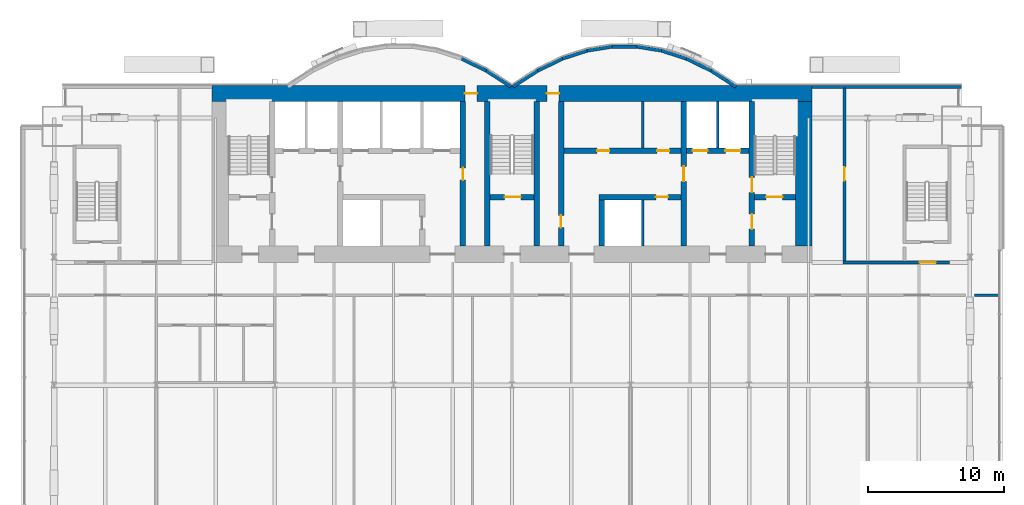
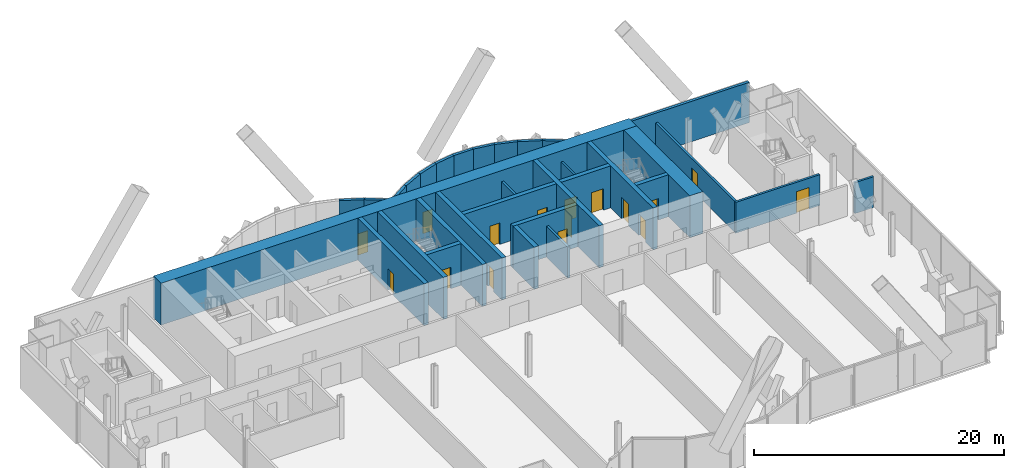
# One storey, part 18 of 22: 31 walls, 16 doors, 16 openings.
"""IFC4 building model written with IfcOpenShell, lengths in metres."""

import ifcopenshell
import ifcopenshell.guid

model = None  # the IFC model being written
_history = None  # IfcOwnerHistory: only IFC2X3 demands one
_inside = {}  # id of a spatial element -> (the spatial element, [elements in it])
_under = {}  # id of a project, library or spatial element -> (it, [spatial elements below it])
_declared = {}  # id of a project -> (the project, [libraries it declares])
_typed = {}  # id of a type object -> (the type object, [elements of that type])
_made_of = {}  # id of a material, layer set ... -> (it, [elements and type objects made of it])


def new_model(schema):
    """Start an empty IFC model of exactly this schema.

    Asked for "IFC4X3", IfcOpenShell would pick the latest addendum, in which some entities
    have other attributes; the version numbers below select the first issue.
    IFC2X3 requires an IfcOwnerHistory on every rooted entity: one is made here for all.
    """
    global model, _history
    if schema == "IFC4X3":
        model = ifcopenshell.file(schema_version=(4, 3, 0, 0))
    else:
        model = ifcopenshell.file(schema=schema)
    _inside.clear()
    _under.clear()
    _declared.clear()
    _typed.clear()
    _made_of.clear()
    _history = None
    if model.schema == "IFC2X3":
        org = make("IfcOrganization", Name="unknown")
        user = make(
            "IfcPersonAndOrganization",
            ThePerson=make("IfcPerson", FamilyName="unknown"),
            TheOrganization=org,
        )
        app = make(
            "IfcApplication",
            ApplicationDeveloper=org,
            Version="unknown",
            ApplicationFullName="unknown",
            ApplicationIdentifier="unknown",
        )
        _history = make(
            "IfcOwnerHistory",
            OwningUser=user,
            OwningApplication=app,
            ChangeAction="ADDED",
            CreationDate=0,
        )
    return model


def make(cls, **values):
    """One entity of the class cls with the attributes given. An attribute that is None is left unset."""
    return model.create_entity(
        cls, **{name: value for name, value in values.items() if value is not None}
    )


def rooted(cls, **values):
    """An entity with a GlobalId (a new one), such as an element, a storey or a relation."""
    return make(cls, GlobalId=ifcopenshell.guid.new(), OwnerHistory=_history, **values)


def si_unit(unit_type, name, prefix=None):
    """IfcSIUnit, for example si_unit("LENGTHUNIT", "METRE", prefix="MILLI")."""
    return make("IfcSIUnit", UnitType=unit_type, Prefix=prefix, Name=name)


def assignment(units):
    """IfcUnitAssignment: the units of a project."""
    return None if units is None else make("IfcUnitAssignment", Units=units)


def point(xyz):
    """IfcCartesianPoint."""
    return None if xyz is None else make("IfcCartesianPoint", Coordinates=xyz)


def direction(xyz):
    """IfcDirection."""
    return None if xyz is None else make("IfcDirection", DirectionRatios=xyz)


def frame(location, z_axis=None, x_axis=None):
    """IfcAxis2Placement3D, a coordinate frame: its origin and axes. An axis left out is left unset."""
    return make(
        "IfcAxis2Placement3D",
        Location=point(location),
        Axis=direction(z_axis),
        RefDirection=direction(x_axis),
    )


def frame_2d(location, x_axis=None):
    """IfcAxis2Placement2D, a coordinate frame in the plane: its origin and x axis."""
    return make(
        "IfcAxis2Placement2D", Location=point(location), RefDirection=direction(x_axis)
    )


def origin():
    """The frame at (0, 0, 0) with its axes left unset."""
    return frame((0.0, 0.0, 0.0))


def place(relative_to, where):
    """IfcLocalPlacement: puts the frame where relative to a parent placement (None: the world)."""
    return make(
        "IfcLocalPlacement", PlacementRelTo=relative_to, RelativePlacement=where
    )


def context(
    kind, dimensions, precision=None, world=None, true_north=None, identifier=None
):
    """IfcGeometricRepresentationContext, for example the 3D "Model" context."""
    return make(
        "IfcGeometricRepresentationContext",
        ContextIdentifier=identifier,
        ContextType=kind,
        CoordinateSpaceDimension=dimensions,
        Precision=precision,
        WorldCoordinateSystem=world,
        TrueNorth=true_north,
    )


def subcontext(parent, identifier, kind, view, scale=None):
    """IfcGeometricRepresentationSubContext, for example "Body" below "Model"."""
    return make(
        "IfcGeometricRepresentationSubContext",
        ContextIdentifier=identifier,
        ContextType=kind,
        ParentContext=parent,
        TargetScale=scale,
        TargetView=view,
    )


def project(units=None, contexts=None):
    """IfcProject with its units and contexts."""
    return rooted(
        "IfcProject",
        Name="project",
        RepresentationContexts=contexts,
        UnitsInContext=assignment(units),
    )


def spatial(cls, under=None, at=None, **own):
    """A site, building, storey or space (cls), placed at a placement, below another one or the project."""
    s = rooted(cls, ObjectPlacement=at, **own)
    if under is not None:
        _under.setdefault(under.id(), (under, []))[1].append(s)
    return s


def profile(cls, at=None, kind="AREA", **sizes):
    """A parametric profile (cls). Its sizes go by their IFC names, for example OverallWidth=200.0."""
    return make(cls, ProfileType=kind, Position=at, **sizes)


def rectangle(**sizes):
    """IfcRectangleProfileDef."""
    return profile("IfcRectangleProfileDef", **sizes)


def extrude(swept, where, along, depth):
    """IfcExtrudedAreaSolid: the profile swept, set in the frame where, extruded along a direction by depth."""
    return make(
        "IfcExtrudedAreaSolid",
        SweptArea=swept,
        Position=where,
        ExtrudedDirection=direction(along),
        Depth=depth,
    )


def shape(context_of_items, identifier, shape_type, items):
    """IfcShapeRepresentation: the items that make up one representation, for example the "Body"."""
    return make(
        "IfcShapeRepresentation",
        ContextOfItems=context_of_items,
        RepresentationIdentifier=identifier,
        RepresentationType=shape_type,
        Items=items,
    )


def material(Name=None, Category=None):
    """IfcMaterial."""
    return make("IfcMaterial", Name=Name, Category=Category)


def layer(
    of_material, thickness, ventilated=None, Name=None, Category=None, Priority=None
):
    """IfcMaterialLayer: one layer of a wall or slab, of a material (None: an air gap)."""
    return make(
        "IfcMaterialLayer",
        Material=of_material,
        LayerThickness=thickness,
        IsVentilated=ventilated,
        Name=Name,
        Category=Category,
        Priority=Priority,
    )


def layer_set(layers, Name=None):
    """IfcMaterialLayerSet."""
    return make("IfcMaterialLayerSet", MaterialLayers=layers, LayerSetName=Name)


def layer_usage(for_layer_set, set_direction, sense, offset, extent=None):
    """IfcMaterialLayerSetUsage: how a layer set lies in its element."""
    return make(
        "IfcMaterialLayerSetUsage",
        ForLayerSet=for_layer_set,
        LayerSetDirection=set_direction,
        DirectionSense=sense,
        OffsetFromReferenceLine=offset,
        ReferenceExtent=extent,
    )


def made_of(thing, what):
    """Note that an element or type object is made of a material, layer set ...; save() writes the relation."""
    if what is not None:
        _made_of.setdefault(what.id(), (what, []))[1].append(thing)
    return thing


def type_object(cls, material=None, **own):
    """A type object (cls), such as IfcWallType, which elements share."""
    return made_of(rooted(cls, **own), material)


def element(
    cls,
    number,
    at=None,
    inside=None,
    cuts=None,
    type_object=None,
    material=None,
    context=None,
    identifier="Body",
    shape_type=None,
    held_by="IfcProductDefinitionShape",
    body=None,
    shapes=None,
    **own,
):
    """One element of the class cls, such as IfcWall. Its Tag is "e" and its number.

    at: its placement. inside: the storey or other place that contains it. cuts: it is an
    opening in that element (IfcRelVoidsElement). A single representation is given by context,
    identifier, shape_type and body (its items); several are given by shapes. held_by: the class
    of the entity that holds the representations. save() writes the other relations.
    """
    e = rooted(cls, Tag="e%d" % number, ObjectPlacement=at, **own)
    if body is not None:
        shapes = [shape(context, identifier, shape_type, body)]
    if shapes is not None:
        e.Representation = make(held_by, Representations=shapes)
    if inside is not None:
        _inside.setdefault(inside.id(), (inside, []))[1].append(e)
    if cuts is not None:
        rooted(
            "IfcRelVoidsElement", RelatingBuildingElement=cuts, RelatedOpeningElement=e
        )
    if type_object is not None:
        _typed.setdefault(type_object.id(), (type_object, []))[1].append(e)
    return made_of(e, material)


def fill(opening, filler):
    """IfcRelFillsElement: the door or window that sits in an opening."""
    return rooted(
        "IfcRelFillsElement",
        RelatingOpeningElement=opening,
        RelatedBuildingElement=filler,
    )


def aggregate(whole, parts):
    """IfcRelAggregates: a whole, such as a stair, and the parts it consists of."""
    return rooted("IfcRelAggregates", RelatingObject=whole, RelatedObjects=parts)


def save(model, path):
    """Write the relations noted so far, then the file.

    IfcRelAggregates (storeys below a building ...), IfcRelContainedInSpatialStructure (elements
    in a storey), IfcRelDefinesByType, IfcRelAssociatesMaterial and IfcRelDeclares: one each for
    every whole, place, type object, material and project.
    """
    for whole, parts in _under.values():
        aggregate(whole, parts)
    for where, things in _inside.values():
        rooted(
            "IfcRelContainedInSpatialStructure",
            RelatedElements=things,
            RelatingStructure=where,
        )
    for kind, things in _typed.values():
        rooted("IfcRelDefinesByType", RelatedObjects=things, RelatingType=kind)
    for what, things in _made_of.values():
        rooted("IfcRelAssociatesMaterial", RelatedObjects=things, RelatingMaterial=what)
    for by, libraries in _declared.values():
        rooted("IfcRelDeclares", RelatingContext=by, RelatedDefinitions=libraries)
    model.write(path)


model = new_model("IFC4")

# Units and contexts
model_context = context("Model", 3, precision=1e-05, world=origin(), true_north=direction((0.0, 1.0)))
body_context = subcontext(model_context, "Body", "Model", "MODEL_VIEW")
ifc_project = project(units=[si_unit("LENGTHUNIT", "METRE"), si_unit("AREAUNIT", "SQUARE_METRE"), si_unit("VOLUMEUNIT", "CUBIC_METRE"), si_unit("PLANEANGLEUNIT", "RADIAN"), si_unit("MASSUNIT", "GRAM", prefix="KILO")], contexts=[model_context])

# Site, building, storey
site_placement = place(None, origin())
site = spatial("IfcSite", under=ifc_project, at=site_placement, CompositionType="ELEMENT")
building_placement = place(site_placement, origin())
building = spatial("IfcBuilding", under=site, at=building_placement, Name="Bicima Exchange Tower", CompositionType="ELEMENT")
storey_placement = place(building_placement, frame((0.0, 0.0, 94.0)))
storey = spatial("IfcBuildingStorey", under=building, at=storey_placement, Name="L19", CompositionType="ELEMENT", Elevation=94.0)

# Walls
ifc_material_1 = material(Name="Gypsum board partition")
ifc_layer_1 = layer(ifc_material_1, 0.199951171875)
ifc_layer_set_1 = layer_set([ifc_layer_1], Name="Gypsum board partition")
wall_type_1 = type_object("IfcWallType", Name="Fire-rated gypsum partition 200 EI120", PredefinedType="PARTITIONING", material=ifc_layer_set_1)
for number, where, z_axis, x_axis, name in (
    (1, (9.60009765625, -11.800048828125, 0.0), (0.0, 0.0, 1.0), (0.0, 1.0, 0.0), "partition wall 20"),
    (2, (15.10009765625, -4.60009765625, 0.0), (0.0, 0.0, 1.0), (0.0, 1.0, 0.0), "partition wall 23"),
):
    element("IfcWall", number, at=place(storey_placement, frame(where, z_axis=z_axis, x_axis=x_axis)), inside=storey, type_object=wall_type_1, Name=name, PredefinedType="PARTITIONING", context=body_context, shape_type="SweptSolid", body=[
        extrude(rectangle(XDim=3.400146484375, YDim=0.199951171875, at=frame_2d((1.7001953125, 0.0))), origin(), (0.0, 0.0, 1.0), 3.018310546875),
    ])
ifc_layer_2 = layer(ifc_material_1, 0.199951171875)
ifc_layer_set_2 = layer_set([ifc_layer_2], Name="Gypsum board partition")
wall_type_2 = type_object("IfcWallType", Name="Fire-rated gypsum partition 200 EI60", PredefinedType="PARTITIONING", material=ifc_layer_set_2)
wall_1_placement = place(storey_placement, frame((33.929931640625, -15.39990234375, 0.0), z_axis=(0.0, 0.0, 1.0), x_axis=(1.0, 0.0, 0.0)))
element("IfcWall", 3, at=wall_1_placement, inside=storey, type_object=wall_type_2, Name="partition wall 6", PredefinedType="PARTITIONING", context=body_context, shape_type="SweptSolid", body=[
    extrude(rectangle(XDim=1.75, YDim=0.199951171875, at=frame_2d((0.875, 0.0))), origin(), (0.0, 0.0, 1.0), 3.018310546875),
])

# Wall, opening, door
wall_2_placement = place(storey_placement, frame((24.300048828125, -13.0, 0.0), z_axis=(0.0, 0.0, 1.0), x_axis=(1.0, 0.0, 0.0)))
wall_2 = element("IfcWall", 4, at=wall_2_placement, inside=storey, type_object=wall_type_2, Name="partition wall 8", PredefinedType="PARTITIONING", context=body_context, shape_type="SweptSolid", body=[
    extrude(rectangle(XDim=7.800048828125, YDim=0.199951171875, at=frame_2d((3.89990234375, 0.0))), origin(), (0.0, 0.0, 1.0), 3.018310546875),
])
opening_1_placement = place(wall_2_placement, frame((5.60009765625, 0.0, 0.0)))
opening_1 = element("IfcOpeningElement", 5, at=opening_1_placement, cuts=wall_2, Name="Opening L19-003", PredefinedType="OPENING", context=body_context, shape_type="SweptSolid", body=[
    extrude(rectangle(XDim=1.199951171875, YDim=2.10009765625, at=frame_2d((0.60009765625, 1.050048828125))), frame((0.0, 0.11181640625, 0.0), z_axis=(0.0, -1.0, 0.0), x_axis=(1.0, 0.0, 0.0)), (0.0, 0.0, 1.0), 0.223876953125),
])
ifc_material_2 = material(Name="Steel fire door leaf", Category="steel")
door_type_1 = type_object("IfcDoorType", Name="Door 1200 swing FD30S", OperationType="SINGLE_SWING_LEFT", PredefinedType="DOOR", material=ifc_material_2)
door_1_placement = place(opening_1_placement, origin())
door_1 = element("IfcDoor", 6, at=door_1_placement, inside=storey, type_object=door_type_1, Name="Door", OperationType="SINGLE_SWING_RIGHT", OverallHeight=2.10009765625, OverallWidth=1.199951171875, PredefinedType="DOOR", context=body_context, shape_type="SweptSolid", body=[
    extrude(rectangle(XDim=1.199951171875, YDim=2.10009765625, at=frame_2d((0.60009765625, 1.050048828125))), frame((0.0, 0.02490234375, 0.0), z_axis=(0.0, -1.0, 0.0), x_axis=(1.0, 0.0, 0.0)), (0.0, 0.0, 1.0), 0.050048828125),
])
fill(opening_1, door_1)

wall_3_placement = place(storey_placement, frame((24.39990234375, -12.89990234375, 0.0), z_axis=(0.0, 0.0, 1.0), x_axis=(0.0, 1.0, 0.0)))
wall_3 = element("IfcWall", 7, at=wall_3_placement, inside=storey, type_object=wall_type_2, Name="partition wall 30", PredefinedType="PARTITIONING", context=body_context, shape_type="SweptSolid", body=[
    extrude(rectangle(XDim=12.68994140625, YDim=0.199951171875, at=frame_2d((6.344970703125, 0.0))), origin(), (0.0, 0.0, 1.0), 3.018310546875),
])
opening_2_placement = place(wall_3_placement, frame((5.89990234375, 0.0, 0.0)))
opening_2 = element("IfcOpeningElement", 8, at=opening_2_placement, cuts=wall_3, Name="Opening L19-006", PredefinedType="OPENING", context=body_context, shape_type="SweptSolid", body=[
    extrude(rectangle(XDim=1.0, YDim=2.10009765625, at=frame_2d((0.5, 1.050048828125))), frame((0.0, 0.11181640625, 0.0), z_axis=(0.0, -1.0, 0.0), x_axis=(1.0, 0.0, 0.0)), (0.0, 0.0, 1.0), 0.223876953125),
])
door_type_2 = type_object("IfcDoorType", Name="Door 1000 swing FD30S", OperationType="SINGLE_SWING_LEFT", PredefinedType="DOOR", material=ifc_material_2)
door_2_placement = place(opening_2_placement, frame((1.0, 0.0, 0.0), z_axis=(0.0, 0.0, 1.0), x_axis=(-1.0, 0.0, 0.0)))
door_2 = element("IfcDoor", 9, at=door_2_placement, inside=storey, type_object=door_type_2, Name="Door", OperationType="SINGLE_SWING_RIGHT", OverallHeight=2.10009765625, OverallWidth=1.0, PredefinedType="DOOR", context=body_context, shape_type="SweptSolid", body=[
    extrude(rectangle(XDim=1.0, YDim=2.10009765625, at=frame_2d((0.5, 1.050048828125))), frame((0.0, 0.02490234375, 0.0), z_axis=(0.0, -1.0, 0.0), x_axis=(1.0, 0.0, 0.0)), (0.0, 0.0, 1.0), 0.050048828125),
])
fill(opening_2, door_2)

# Wall
wall_4_placement = place(storey_placement, frame((9.60009765625, -4.60009765625, 0.0), z_axis=(0.0, 0.0, 1.0), x_axis=(0.0, 1.0, 0.0)))
element("IfcWall", 10, at=wall_4_placement, inside=storey, type_object=wall_type_2, Name="partition wall 21", PredefinedType="PARTITIONING", context=body_context, shape_type="SweptSolid", body=[
    extrude(rectangle(XDim=3.400146484375, YDim=0.199951171875, at=frame_2d((1.7001953125, 0.0))), origin(), (0.0, 0.0, 1.0), 3.018310546875),
])

# Wall, openings, doors
ifc_material_3 = material(Name="Concrete C60/75", Category="concrete")
ifc_layer_3 = layer(ifc_material_3, 1.199951171875)
ifc_layer_set_3 = layer_set([ifc_layer_3], Name="Concrete C60/75")
wall_type_3 = type_object("IfcWallType", Name="RC core wall 1200 C60/75", PredefinedType="SHEAR", material=ifc_layer_set_3)
wall_5_placement = place(storey_placement, frame((-22.0, -0.60009765625, 0.0), z_axis=(0.0, 0.0, 1.0), x_axis=(1.0, 0.0, 0.0)))
wall_5 = element("IfcWall", 11, at=wall_5_placement, inside=storey, type_object=wall_type_3, Name="Core wall north", PredefinedType="SHEAR", context=body_context, shape_type="SweptSolid", body=[
    extrude(rectangle(XDim=44.0, YDim=1.199951171875, at=frame_2d((22.0, 0.0))), origin(), (0.0, 0.0, 1.0), 4.10009765625),
])
opening_3_placement = place(wall_5_placement, frame((18.550048828125, 0.0, 0.0)))
opening_3 = element("IfcOpeningElement", 12, at=opening_3_placement, cuts=wall_5, Name="Opening L19-C16", PredefinedType="OPENING", context=body_context, shape_type="SweptSolid", body=[
    extrude(rectangle(XDim=0.89990234375, YDim=2.10009765625, at=frame_2d((0.449951171875, 1.050048828125))), frame((0.0, 0.61181640625, 0.0), z_axis=(0.0, -1.0, 0.0), x_axis=(1.0, 0.0, 0.0)), (0.0, 0.0, 1.0), 1.223876953125),
])
opening_4_placement = place(wall_5_placement, frame((24.550048828125, 0.0, 0.0)))
opening_4 = element("IfcOpeningElement", 13, at=opening_4_placement, cuts=wall_5, Name="Opening L19-C17", PredefinedType="OPENING", context=body_context, shape_type="SweptSolid", body=[
    extrude(rectangle(XDim=0.89990234375, YDim=2.10009765625, at=frame_2d((0.449951171875, 1.050048828125))), frame((0.0, 0.61181640625, 0.0), z_axis=(0.0, -1.0, 0.0), x_axis=(1.0, 0.0, 0.0)), (0.0, 0.0, 1.0), 1.223876953125),
])
door_type_3 = type_object("IfcDoorType", Name="Door 900 swing FD30S", OperationType="SINGLE_SWING_LEFT", PredefinedType="DOOR", material=ifc_material_2)
door_3_placement = place(opening_3_placement, origin())
door_3 = element("IfcDoor", 14, at=door_3_placement, inside=storey, type_object=door_type_3, Name="Core door", OperationType="SINGLE_SWING_LEFT", OverallHeight=2.10009765625, OverallWidth=0.89990234375, PredefinedType="DOOR", context=body_context, shape_type="SweptSolid", body=[
    extrude(rectangle(XDim=0.89990234375, YDim=2.10009765625, at=frame_2d((0.449951171875, 1.050048828125))), frame((0.0, 0.02490234375, 0.0), z_axis=(0.0, -1.0, 0.0), x_axis=(1.0, 0.0, 0.0)), (0.0, 0.0, 1.0), 0.050048828125),
])
fill(opening_3, door_3)
door_4_placement = place(opening_4_placement, origin())
door_4 = element("IfcDoor", 15, at=door_4_placement, inside=storey, type_object=door_type_3, Name="Core door", OperationType="SINGLE_SWING_LEFT", OverallHeight=2.10009765625, OverallWidth=0.89990234375, PredefinedType="DOOR", context=body_context, shape_type="SweptSolid", body=[
    extrude(rectangle(XDim=0.89990234375, YDim=2.10009765625, at=frame_2d((0.449951171875, 1.050048828125))), frame((0.0, 0.02490234375, 0.0), z_axis=(0.0, -1.0, 0.0), x_axis=(1.0, 0.0, 0.0)), (0.0, 0.0, 1.0), 0.050048828125),
])
fill(opening_4, door_4)

# Wall
wall_6_placement = place(storey_placement, frame((21.39990234375, -11.800048828125, 0.0), z_axis=(0.0, 0.0, 1.0), x_axis=(0.0, 1.0, 0.0)))
element("IfcWall", 16, at=wall_6_placement, inside=storey, type_object=wall_type_3, Name="Core wall east", PredefinedType="SHEAR", context=body_context, shape_type="SweptSolid", body=[
    extrude(rectangle(XDim=10.60009765625, YDim=1.199951171875, at=frame_2d((5.300048828125, 0.0))), origin(), (0.0, 0.0, 1.0), 4.10009765625),
])

# Wall, opening, door
ifc_material_4 = material(Name="Concrete C50/60", Category="concrete")
ifc_layer_4 = layer(ifc_material_4, 0.39990234375)
ifc_layer_set_4 = layer_set([ifc_layer_4], Name="Concrete C50/60")
wall_type_4 = type_object("IfcWallType", Name="RC core wall 400 C50/60", PredefinedType="SHEAR", material=ifc_layer_set_4)
wall_7_placement = place(storey_placement, frame((-1.60009765625, -8.199951171875, 0.0), z_axis=(0.0, 0.0, 1.0), x_axis=(1.0, 0.0, 0.0)))
wall_7 = element("IfcWall", 17, at=wall_7_placement, inside=storey, type_object=wall_type_4, Name="stair wall 3", PredefinedType="SHEAR", context=body_context, shape_type="SweptSolid", body=[
    extrude(rectangle(XDim=3.2001953125, YDim=0.39990234375, at=frame_2d((1.60009765625, 0.0))), origin(), (0.0, 0.0, 1.0), 4.10009765625),
])
opening_5_placement = place(wall_7_placement, frame((1.050048828125, 0.0, 0.0)))
opening_5 = element("IfcOpeningElement", 18, at=opening_5_placement, cuts=wall_7, Name="Opening L19-C03", PredefinedType="OPENING", context=body_context, shape_type="SweptSolid", body=[
    extrude(rectangle(XDim=1.199951171875, YDim=2.10009765625, at=frame_2d((0.60009765625, 1.050048828125))), frame((0.0, 0.2119140625, 0.0), z_axis=(0.0, -1.0, 0.0), x_axis=(1.0, 0.0, 0.0)), (0.0, 0.0, 1.0), 0.423828125),
])
door_type_4 = type_object("IfcDoorType", Name="Door 1200 swing FD60S", OperationType="SINGLE_SWING_LEFT", PredefinedType="DOOR", material=ifc_material_2)
door_5_placement = place(opening_5_placement, origin())
door_5 = element("IfcDoor", 19, at=door_5_placement, inside=storey, type_object=door_type_4, Name="Core door", OperationType="SINGLE_SWING_LEFT", OverallHeight=2.10009765625, OverallWidth=1.199951171875, PredefinedType="DOOR", context=body_context, shape_type="SweptSolid", body=[
    extrude(rectangle(XDim=1.199951171875, YDim=2.10009765625, at=frame_2d((0.60009765625, 1.050048828125))), frame((0.0, 0.02490234375, 0.0), z_axis=(0.0, -1.0, 0.0), x_axis=(1.0, 0.0, 0.0)), (0.0, 0.0, 1.0), 0.050048828125),
])
fill(opening_5, door_5)

wall_8_placement = place(storey_placement, frame((17.800048828125, -8.199951171875, 0.0), z_axis=(0.0, 0.0, 1.0), x_axis=(1.0, 0.0, 0.0)))
wall_8 = element("IfcWall", 20, at=wall_8_placement, inside=storey, type_object=wall_type_4, Name="stair wall 5", PredefinedType="SHEAR", context=body_context, shape_type="SweptSolid", body=[
    extrude(rectangle(XDim=3.0, YDim=0.39990234375, at=frame_2d((1.5, 0.0))), origin(), (0.0, 0.0, 1.0), 4.10009765625),
])
opening_6_placement = place(wall_8_placement, frame((0.85009765625, 0.0, 0.0)))
opening_6 = element("IfcOpeningElement", 21, at=opening_6_placement, cuts=wall_8, Name="Opening L19-C04", PredefinedType="OPENING", context=body_context, shape_type="SweptSolid", body=[
    extrude(rectangle(XDim=1.199951171875, YDim=2.10009765625, at=frame_2d((0.60009765625, 1.050048828125))), frame((0.0, 0.2119140625, 0.0), z_axis=(0.0, -1.0, 0.0), x_axis=(1.0, 0.0, 0.0)), (0.0, 0.0, 1.0), 0.423828125),
])
door_6_placement = place(opening_6_placement, origin())
door_6 = element("IfcDoor", 22, at=door_6_placement, inside=storey, type_object=door_type_4, Name="Core door", OperationType="SINGLE_SWING_RIGHT", OverallHeight=2.10009765625, OverallWidth=1.199951171875, PredefinedType="DOOR", context=body_context, shape_type="SweptSolid", body=[
    extrude(rectangle(XDim=1.199951171875, YDim=2.10009765625, at=frame_2d((0.60009765625, 1.050048828125))), frame((0.0, 0.02490234375, 0.0), z_axis=(0.0, -1.0, 0.0), x_axis=(1.0, 0.0, 0.0)), (0.0, 0.0, 1.0), 0.050048828125),
])
fill(opening_6, door_6)

# Walls
for number, where, z_axis, x_axis, name in (
    (23, (-1.800048828125, -11.800048828125, 0.0), (0.0, 0.0, 1.0), (0.0, 1.0, 0.0), "stair wall 16"),
    (24, (1.800048828125, -11.800048828125, 0.0), (0.0, 0.0, 1.0), (0.0, 1.0, 0.0), "stair wall 17"),
):
    element("IfcWall", number, at=place(storey_placement, frame(where, z_axis=z_axis, x_axis=x_axis)), inside=storey, type_object=wall_type_4, Name=name, PredefinedType="SHEAR", context=body_context, shape_type="SweptSolid", body=[
        extrude(rectangle(XDim=10.60009765625, YDim=0.39990234375, at=frame_2d((5.300048828125, 0.0))), origin(), (0.0, 0.0, 1.0), 4.10009765625),
    ])

# Wall, openings, doors
wall_9_placement = place(storey_placement, frame((17.60009765625, -11.800048828125, 0.0), z_axis=(0.0, 0.0, 1.0), x_axis=(0.0, 1.0, 0.0)))
wall_9 = element("IfcWall", 25, at=wall_9_placement, inside=storey, type_object=wall_type_4, Name="stair wall 24", PredefinedType="SHEAR", context=body_context, shape_type="SweptSolid", body=[
    extrude(rectangle(XDim=10.60009765625, YDim=0.39990234375, at=frame_2d((5.300048828125, 0.0))), origin(), (0.0, 0.0, 1.0), 4.10009765625),
])
opening_7_placement = place(wall_9_placement, frame((1.25, 0.0, 0.0)))
opening_7 = element("IfcOpeningElement", 26, at=opening_7_placement, cuts=wall_9, Name="Opening L19-C05", PredefinedType="OPENING", context=body_context, shape_type="SweptSolid", body=[
    extrude(rectangle(XDim=1.10009765625, YDim=2.10009765625, at=frame_2d((0.550048828125, 1.050048828125))), frame((0.0, 0.2119140625, 0.0), z_axis=(0.0, -1.0, 0.0), x_axis=(1.0, 0.0, 0.0)), (0.0, 0.0, 1.0), 0.423828125),
])
opening_8_placement = place(wall_9_placement, frame((3.949951171875, 0.0, 0.0)))
opening_8 = element("IfcOpeningElement", 27, at=opening_8_placement, cuts=wall_9, Name="Opening L19-C08", PredefinedType="OPENING", context=body_context, shape_type="SweptSolid", body=[
    extrude(rectangle(XDim=1.10009765625, YDim=2.10009765625, at=frame_2d((0.550048828125, 1.050048828125))), frame((0.0, 0.2119140625, 0.0), z_axis=(0.0, -1.0, 0.0), x_axis=(1.0, 0.0, 0.0)), (0.0, 0.0, 1.0), 0.423828125),
])
door_type_5 = type_object("IfcDoorType", Name="Door 1100 swing FD60S", OperationType="SINGLE_SWING_LEFT", PredefinedType="DOOR", material=ifc_material_2)
door_7_placement = place(opening_7_placement, origin())
door_7 = element("IfcDoor", 28, at=door_7_placement, inside=storey, type_object=door_type_5, Name="Core door", OperationType="SINGLE_SWING_LEFT", OverallHeight=2.10009765625, OverallWidth=1.10009765625, PredefinedType="DOOR", context=body_context, shape_type="SweptSolid", body=[
    extrude(rectangle(XDim=1.10009765625, YDim=2.10009765625, at=frame_2d((0.550048828125, 1.050048828125))), frame((0.0, 0.02490234375, 0.0), z_axis=(0.0, -1.0, 0.0), x_axis=(1.0, 0.0, 0.0)), (0.0, 0.0, 1.0), 0.050048828125),
])
fill(opening_7, door_7)
door_8_placement = place(opening_8_placement, origin())
door_8 = element("IfcDoor", 29, at=door_8_placement, inside=storey, type_object=door_type_5, Name="Core door", OperationType="SINGLE_SWING_RIGHT", OverallHeight=2.10009765625, OverallWidth=1.10009765625, PredefinedType="DOOR", context=body_context, shape_type="SweptSolid", body=[
    extrude(rectangle(XDim=1.10009765625, YDim=2.10009765625, at=frame_2d((0.550048828125, 1.050048828125))), frame((0.0, 0.02490234375, 0.0), z_axis=(0.0, -1.0, 0.0), x_axis=(1.0, 0.0, 0.0)), (0.0, 0.0, 1.0), 0.050048828125),
])
fill(opening_8, door_8)

# Wall, opening, door
ifc_layer_5 = layer(ifc_material_3, 0.39990234375)
ifc_layer_set_5 = layer_set([ifc_layer_5], Name="Concrete C60/75")
wall_type_5 = type_object("IfcWallType", Name="RC core wall 400 C60/75", PredefinedType="SHEAR", material=ifc_layer_set_5)
wall_10_placement = place(storey_placement, frame((6.39990234375, -8.199951171875, 0.0), z_axis=(0.0, 0.0, 1.0), x_axis=(1.0, 0.0, 0.0)))
wall_10 = element("IfcWall", 30, at=wall_10_placement, inside=storey, type_object=wall_type_5, Name="shear wall 4", PredefinedType="SHEAR", context=body_context, shape_type="SweptSolid", body=[
    extrude(rectangle(XDim=6.0, YDim=0.39990234375, at=frame_2d((3.0, 0.0))), origin(), (0.0, 0.0, 1.0), 4.10009765625),
])
opening_9_placement = place(wall_10_placement, frame((4.14990234375, 0.0, 0.0)))
opening_9 = element("IfcOpeningElement", 31, at=opening_9_placement, cuts=wall_10, Name="Opening L19-C15", PredefinedType="OPENING", context=body_context, shape_type="SweptSolid", body=[
    extrude(rectangle(XDim=0.89990234375, YDim=2.10009765625, at=frame_2d((0.449951171875, 1.050048828125))), frame((0.0, 0.2119140625, 0.0), z_axis=(0.0, -1.0, 0.0), x_axis=(1.0, 0.0, 0.0)), (0.0, 0.0, 1.0), 0.423828125),
])
door_9_placement = place(opening_9_placement, frame((0.89990234375, 0.0, 0.0), z_axis=(0.0, 0.0, 1.0), x_axis=(-1.0, 0.0, 0.0)))
door_9 = element("IfcDoor", 32, at=door_9_placement, inside=storey, type_object=door_type_3, Name="Core door", OperationType="SINGLE_SWING_RIGHT", OverallHeight=2.10009765625, OverallWidth=0.89990234375, PredefinedType="DOOR", context=body_context, shape_type="SweptSolid", body=[
    extrude(rectangle(XDim=0.89990234375, YDim=2.10009765625, at=frame_2d((0.449951171875, 1.050048828125))), frame((0.0, 0.02490234375, 0.0), z_axis=(0.0, -1.0, 0.0), x_axis=(1.0, 0.0, 0.0)), (0.0, 0.0, 1.0), 0.050048828125),
])
fill(opening_9, door_9)

# Wall, openings, doors
wall_11_placement = place(storey_placement, frame((3.800048828125, -4.800048828125, 0.0), z_axis=(0.0, 0.0, 1.0), x_axis=(1.0, 0.0, 0.0)))
wall_11 = element("IfcWall", 33, at=wall_11_placement, inside=storey, type_object=wall_type_5, Name="shear wall 7", PredefinedType="SHEAR", context=body_context, shape_type="SweptSolid", body=[
    extrude(rectangle(XDim=13.599853515625, YDim=0.39990234375, at=frame_2d((6.7998046875, 0.0))), origin(), (0.0, 0.0, 1.0), 4.10009765625),
])
opening_10_placement = place(wall_11_placement, frame((9.449951171875, 0.0, 0.0)))
opening_10 = element("IfcOpeningElement", 34, at=opening_10_placement, cuts=wall_11, Name="Opening LD-FF2-L19", PredefinedType="OPENING", context=body_context, shape_type="SweptSolid", body=[
    extrude(rectangle(XDim=1.10009765625, YDim=2.10009765625, at=frame_2d((0.550048828125, 1.050048828125))), frame((0.0, 0.2119140625, 0.0), z_axis=(0.0, -1.0, 0.0), x_axis=(1.0, 0.0, 0.0)), (0.0, 0.0, 1.0), 0.423828125),
])
opening_11_placement = place(wall_11_placement, frame((11.85009765625, 0.0, 0.0)))
opening_11 = element("IfcOpeningElement", 35, at=opening_11_placement, cuts=wall_11, Name="Opening LD-SV1-L19", PredefinedType="OPENING", context=body_context, shape_type="SweptSolid", body=[
    extrude(rectangle(XDim=1.10009765625, YDim=2.10009765625, at=frame_2d((0.550048828125, 1.050048828125))), frame((0.0, 0.2119140625, 0.0), z_axis=(0.0, -1.0, 0.0), x_axis=(1.0, 0.0, 0.0)), (0.0, 0.0, 1.0), 0.423828125),
])
opening_12_placement = place(wall_11_placement, frame((2.449951171875, 0.0, 0.0)))
opening_12 = element("IfcOpeningElement", 36, at=opening_12_placement, cuts=wall_11, Name="Opening L19-C12", PredefinedType="OPENING", context=body_context, shape_type="SweptSolid", body=[
    extrude(rectangle(XDim=0.89990234375, YDim=2.10009765625, at=frame_2d((0.449951171875, 1.050048828125))), frame((0.0, 0.2119140625, 0.0), z_axis=(0.0, -1.0, 0.0), x_axis=(1.0, 0.0, 0.0)), (0.0, 0.0, 1.0), 0.423828125),
])
opening_13_placement = place(wall_11_placement, frame((6.85009765625, 0.0, 0.0)))
opening_13 = element("IfcOpeningElement", 37, at=opening_13_placement, cuts=wall_11, Name="Opening L19-C13", PredefinedType="OPENING", context=body_context, shape_type="SweptSolid", body=[
    extrude(rectangle(XDim=0.89990234375, YDim=2.10009765625, at=frame_2d((0.449951171875, 1.050048828125))), frame((0.0, 0.2119140625, 0.0), z_axis=(0.0, -1.0, 0.0), x_axis=(1.0, 0.0, 0.0)), (0.0, 0.0, 1.0), 0.423828125),
])
door_10_placement = place(opening_12_placement, origin())
door_10 = element("IfcDoor", 38, at=door_10_placement, inside=storey, type_object=door_type_3, Name="Core door", OperationType="SINGLE_SWING_RIGHT", OverallHeight=2.10009765625, OverallWidth=0.89990234375, PredefinedType="DOOR", context=body_context, shape_type="SweptSolid", body=[
    extrude(rectangle(XDim=0.89990234375, YDim=2.10009765625, at=frame_2d((0.449951171875, 1.050048828125))), frame((0.0, 0.02490234375, 0.0), z_axis=(0.0, -1.0, 0.0), x_axis=(1.0, 0.0, 0.0)), (0.0, 0.0, 1.0), 0.050048828125),
])
fill(opening_12, door_10)
door_11_placement = place(opening_13_placement, origin())
door_11 = element("IfcDoor", 39, at=door_11_placement, inside=storey, type_object=door_type_3, Name="Core door", OperationType="SINGLE_SWING_LEFT", OverallHeight=2.10009765625, OverallWidth=0.89990234375, PredefinedType="DOOR", context=body_context, shape_type="SweptSolid", body=[
    extrude(rectangle(XDim=0.89990234375, YDim=2.10009765625, at=frame_2d((0.449951171875, 1.050048828125))), frame((0.0, 0.02490234375, 0.0), z_axis=(0.0, -1.0, 0.0), x_axis=(1.0, 0.0, 0.0)), (0.0, 0.0, 1.0), 0.050048828125),
])
fill(opening_13, door_11)
ifc_material_5 = material(Name="Stainless steel", Category="steel")
door_type_6 = type_object("IfcDoorType", Name="Lift landing door 1100 sliding", OperationType="DOUBLE_DOOR_SLIDING", PredefinedType="DOOR", material=ifc_material_5)
door_12_placement = place(opening_10_placement, origin())
door_12 = element("IfcDoor", 40, at=door_12_placement, inside=storey, type_object=door_type_6, Name="Lift landing door FF2", OperationType="DOUBLE_DOOR_SLIDING", OverallHeight=2.10009765625, OverallWidth=1.10009765625, PredefinedType="DOOR", context=body_context, shape_type="SweptSolid", body=[
    extrude(rectangle(XDim=1.10009765625, YDim=2.10009765625, at=frame_2d((0.550048828125, 1.050048828125))), frame((0.0, 0.02490234375, 0.0), z_axis=(0.0, -1.0, 0.0), x_axis=(1.0, 0.0, 0.0)), (0.0, 0.0, 1.0), 0.050048828125),
])
fill(opening_10, door_12)
door_13_placement = place(opening_11_placement, origin())
door_13 = element("IfcDoor", 41, at=door_13_placement, inside=storey, type_object=door_type_6, Name="Lift landing door SV1", OperationType="DOUBLE_DOOR_SLIDING", OverallHeight=2.10009765625, OverallWidth=1.10009765625, PredefinedType="DOOR", context=body_context, shape_type="SweptSolid", body=[
    extrude(rectangle(XDim=1.10009765625, YDim=2.10009765625, at=frame_2d((0.550048828125, 1.050048828125))), frame((0.0, 0.02490234375, 0.0), z_axis=(0.0, -1.0, 0.0), x_axis=(1.0, 0.0, 0.0)), (0.0, 0.0, 1.0), 0.050048828125),
])
fill(opening_11, door_13)

# Wall, opening, door
wall_12_placement = place(storey_placement, frame((-3.60009765625, -11.800048828125, 0.0), z_axis=(0.0, 0.0, 1.0), x_axis=(0.0, 1.0, 0.0)))
wall_12 = element("IfcWall", 42, at=wall_12_placement, inside=storey, type_object=wall_type_5, Name="shear wall 15", PredefinedType="SHEAR", context=body_context, shape_type="SweptSolid", body=[
    extrude(rectangle(XDim=10.60009765625, YDim=0.39990234375, at=frame_2d((5.300048828125, 0.0))), origin(), (0.0, 0.0, 1.0), 4.10009765625),
])
opening_14_placement = place(wall_12_placement, frame((4.85009765625, 0.0, 0.0)))
opening_14 = element("IfcOpeningElement", 43, at=opening_14_placement, cuts=wall_12, Name="Opening L19-C10", PredefinedType="OPENING", context=body_context, shape_type="SweptSolid", body=[
    extrude(rectangle(XDim=0.89990234375, YDim=2.10009765625, at=frame_2d((0.449951171875, 1.050048828125))), frame((0.0, 0.2119140625, 0.0), z_axis=(0.0, -1.0, 0.0), x_axis=(1.0, 0.0, 0.0)), (0.0, 0.0, 1.0), 0.423828125),
])
door_14_placement = place(opening_14_placement, frame((0.89990234375, 0.0, 0.0), z_axis=(0.0, 0.0, 1.0), x_axis=(-1.0, 0.0, 0.0)))
door_14 = element("IfcDoor", 44, at=door_14_placement, inside=storey, type_object=door_type_3, Name="Core door", OperationType="SINGLE_SWING_LEFT", OverallHeight=2.10009765625, OverallWidth=0.89990234375, PredefinedType="DOOR", context=body_context, shape_type="SweptSolid", body=[
    extrude(rectangle(XDim=0.89990234375, YDim=2.10009765625, at=frame_2d((0.449951171875, 1.050048828125))), frame((0.0, 0.02490234375, 0.0), z_axis=(0.0, -1.0, 0.0), x_axis=(1.0, 0.0, 0.0)), (0.0, 0.0, 1.0), 0.050048828125),
])
fill(opening_14, door_14)

wall_13_placement = place(storey_placement, frame((3.60009765625, -11.800048828125, 0.0), z_axis=(0.0, 0.0, 1.0), x_axis=(0.0, 1.0, 0.0)))
wall_13 = element("IfcWall", 45, at=wall_13_placement, inside=storey, type_object=wall_type_5, Name="shear wall 18", PredefinedType="SHEAR", context=body_context, shape_type="SweptSolid", body=[
    extrude(rectangle(XDim=10.60009765625, YDim=0.39990234375, at=frame_2d((5.300048828125, 0.0))), origin(), (0.0, 0.0, 1.0), 4.10009765625),
])
opening_15_placement = place(wall_13_placement, frame((1.35009765625, 0.0, 0.0)))
opening_15 = element("IfcOpeningElement", 46, at=opening_15_placement, cuts=wall_13, Name="Opening L19-C11", PredefinedType="OPENING", context=body_context, shape_type="SweptSolid", body=[
    extrude(rectangle(XDim=0.89990234375, YDim=2.10009765625, at=frame_2d((0.449951171875, 1.050048828125))), frame((0.0, 0.2119140625, 0.0), z_axis=(0.0, -1.0, 0.0), x_axis=(1.0, 0.0, 0.0)), (0.0, 0.0, 1.0), 0.423828125),
])
door_15_placement = place(opening_15_placement, origin())
door_15 = element("IfcDoor", 47, at=door_15_placement, inside=storey, type_object=door_type_3, Name="Core door", OperationType="SINGLE_SWING_LEFT", OverallHeight=2.10009765625, OverallWidth=0.89990234375, PredefinedType="DOOR", context=body_context, shape_type="SweptSolid", body=[
    extrude(rectangle(XDim=0.89990234375, YDim=2.10009765625, at=frame_2d((0.449951171875, 1.050048828125))), frame((0.0, 0.02490234375, 0.0), z_axis=(0.0, -1.0, 0.0), x_axis=(1.0, 0.0, 0.0)), (0.0, 0.0, 1.0), 0.050048828125),
])
fill(opening_15, door_15)

# Wall
wall_14_placement = place(storey_placement, frame((6.60009765625, -11.800048828125, 0.0), z_axis=(0.0, 0.0, 1.0), x_axis=(0.0, 1.0, 0.0)))
element("IfcWall", 48, at=wall_14_placement, inside=storey, type_object=wall_type_5, Name="shear wall 19", PredefinedType="SHEAR", context=body_context, shape_type="SweptSolid", body=[
    extrude(rectangle(XDim=3.400146484375, YDim=0.39990234375, at=frame_2d((1.7001953125, 0.0))), origin(), (0.0, 0.0, 1.0), 4.10009765625),
])

# Wall, opening, door
wall_15_placement = place(storey_placement, frame((12.60009765625, -11.800048828125, 0.0), z_axis=(0.0, 0.0, 1.0), x_axis=(0.0, 1.0, 0.0)))
wall_15 = element("IfcWall", 49, at=wall_15_placement, inside=storey, type_object=wall_type_5, Name="shear wall 22", PredefinedType="SHEAR", context=body_context, shape_type="SweptSolid", body=[
    extrude(rectangle(XDim=10.60009765625, YDim=0.39990234375, at=frame_2d((5.300048828125, 0.0))), origin(), (0.0, 0.0, 1.0), 4.10009765625),
])
opening_16_placement = place(wall_15_placement, frame((4.75, 0.0, 0.0)))
opening_16 = element("IfcOpeningElement", 50, at=opening_16_placement, cuts=wall_15, Name="Opening L19-C09", PredefinedType="OPENING", context=body_context, shape_type="SweptSolid", body=[
    extrude(rectangle(XDim=1.10009765625, YDim=2.10009765625, at=frame_2d((0.550048828125, 1.050048828125))), frame((0.0, 0.2119140625, 0.0), z_axis=(0.0, -1.0, 0.0), x_axis=(1.0, 0.0, 0.0)), (0.0, 0.0, 1.0), 0.423828125),
])
door_16_placement = place(opening_16_placement, frame((1.10009765625, 0.0, 0.0), z_axis=(0.0, 0.0, 1.0), x_axis=(-1.0, 0.0, 0.0)))
door_16 = element("IfcDoor", 51, at=door_16_placement, inside=storey, type_object=door_type_5, Name="Core door", OperationType="SINGLE_SWING_RIGHT", OverallHeight=2.10009765625, OverallWidth=1.10009765625, PredefinedType="DOOR", context=body_context, shape_type="SweptSolid", body=[
    extrude(rectangle(XDim=1.10009765625, YDim=2.10009765625, at=frame_2d((0.550048828125, 1.050048828125))), frame((0.0, 0.02490234375, 0.0), z_axis=(0.0, -1.0, 0.0), x_axis=(1.0, 0.0, 0.0)), (0.0, 0.0, 1.0), 0.050048828125),
])
fill(opening_16, door_16)

# Walls
ifc_material_6 = material(Name="Concrete C40/50", Category="concrete")
ifc_layer_6 = layer(ifc_material_6, 0.25)
ifc_layer_set_6 = layer_set([ifc_layer_6], Name="Concrete C40/50")
ifc_layer_usage = layer_usage(ifc_layer_set_6, "AXIS2", "POSITIVE", -0.125)
wall_type_6 = type_object("IfcWallType", Name="Rear backup wall 250", PredefinedType="STANDARD", material=ifc_layer_set_6)
wall_16_placement = place(storey_placement, frame((33.0, -0.125, 0.0), z_axis=(0.0, 0.0, 1.0), x_axis=(-1.0, 0.0, 0.0)))
element("IfcWall", 52, at=wall_16_placement, inside=storey, type_object=wall_type_6, material=ifc_layer_usage, Name="Rear backup wall L19 1", PredefinedType="STANDARD", context=body_context, shape_type="SweptSolid", body=[
    extrude(rectangle(XDim=11.0, YDim=0.25, at=frame_2d((5.5, 0.0))), origin(), (0.0, 0.0, 1.0), 3.949951171875),
])
wall_17_placement = place(storey_placement, frame((16.43212890625, -0.10498046875, 0.0), z_axis=(0.0, 0.0, 1.0), x_axis=(-0.83981312244, 0.542875602121, 0.0)))
element("IfcWall", 53, at=wall_17_placement, inside=storey, type_object=wall_type_6, material=ifc_layer_usage, Name="Rear backup wall L19 2", PredefinedType="STANDARD", context=body_context, shape_type="SweptSolid", body=[
    extrude(rectangle(XDim=2.182861328125, YDim=0.25, at=frame_2d((1.09130859375, 0.0))), origin(), (0.0, 0.0, 1.0), 3.949951171875),
])
wall_18_placement = place(storey_placement, frame((14.6123046875, 1.07275390625, 0.0), z_axis=(0.0, 0.0, 1.0), x_axis=(-0.89982408427, 0.436252928206, 0.0)))
element("IfcWall", 54, at=wall_18_placement, inside=storey, type_object=wall_type_6, material=ifc_layer_usage, Name="Rear backup wall L19 3", PredefinedType="STANDARD", context=body_context, shape_type="SweptSolid", body=[
    extrude(rectangle(XDim=2.03759765625, YDim=0.25, at=frame_2d((1.018798828125, 0.0))), origin(), (0.0, 0.0, 1.0), 3.949951171875),
])
wall_19_placement = place(storey_placement, frame((12.794921875, 1.955078125, 0.0), z_axis=(0.0, 0.0, 1.0), x_axis=(-0.951495806175, 0.307661714928, 0.0)))
element("IfcWall", 55, at=wall_19_placement, inside=storey, type_object=wall_type_6, material=ifc_layer_usage, Name="Rear backup wall L19 4", PredefinedType="STANDARD", context=body_context, shape_type="SweptSolid", body=[
    extrude(rectangle(XDim=1.9267578125, YDim=0.25, at=frame_2d((0.96337890625, 0.0))), origin(), (0.0, 0.0, 1.0), 3.949951171875),
])
wall_20_placement = place(storey_placement, frame((10.97998046875, 2.543212890625, 0.0), z_axis=(0.0, 0.0, 1.0), x_axis=(-0.987181718931, 0.159600293885, 0.0)))
element("IfcWall", 56, at=wall_20_placement, inside=storey, type_object=wall_type_6, material=ifc_layer_usage, Name="Rear backup wall L19 5", PredefinedType="STANDARD", context=body_context, shape_type="SweptSolid", body=[
    extrude(rectangle(XDim=1.857177734375, YDim=0.25, at=frame_2d((0.9287109375, 0.0))), origin(), (0.0, 0.0, 1.0), 3.949951171875),
])
wall_21_placement = place(storey_placement, frame((9.166748046875, 2.837890625, 0.0), z_axis=(0.0, 0.0, 1.0), x_axis=(-1.0, 0.0, 0.0)))
element("IfcWall", 57, at=wall_21_placement, inside=storey, type_object=wall_type_6, material=ifc_layer_usage, Name="Rear backup wall L19 6", PredefinedType="STANDARD", context=body_context, shape_type="SweptSolid", body=[
    extrude(rectangle(XDim=1.83349609375, YDim=0.25, at=frame_2d((0.916748046875, 0.0))), origin(), (0.0, 0.0, 1.0), 3.949951171875),
])
wall_22_placement = place(storey_placement, frame((7.353271484375, 2.839599609375, 0.0), z_axis=(0.0, 0.0, 1.0), x_axis=(-0.987181718931, -0.159600293885, 0.0)))
element("IfcWall", 58, at=wall_22_placement, inside=storey, type_object=wall_type_6, material=ifc_layer_usage, Name="Rear backup wall L19 7", PredefinedType="STANDARD", context=body_context, shape_type="SweptSolid", body=[
    extrude(rectangle(XDim=1.857177734375, YDim=0.25, at=frame_2d((0.9287109375, 0.0))), origin(), (0.0, 0.0, 1.0), 3.949951171875),
])
wall_23_placement = place(storey_placement, frame((5.538330078125, 2.5478515625, 0.0), z_axis=(0.0, 0.0, 1.0), x_axis=(-0.951495806175, -0.307661714928, 0.0)))
element("IfcWall", 59, at=wall_23_placement, inside=storey, type_object=wall_type_6, material=ifc_layer_usage, Name="Rear backup wall L19 8", PredefinedType="STANDARD", context=body_context, shape_type="SweptSolid", body=[
    extrude(rectangle(XDim=1.9267578125, YDim=0.25, at=frame_2d((0.96337890625, 0.0))), origin(), (0.0, 0.0, 1.0), 3.949951171875),
])
wall_24_placement = place(storey_placement, frame((3.72119140625, 1.961669921875, 0.0), z_axis=(0.0, 0.0, 1.0), x_axis=(-0.89982408427, -0.436252928206, 0.0)))
element("IfcWall", 60, at=wall_24_placement, inside=storey, type_object=wall_type_6, material=ifc_layer_usage, Name="Rear backup wall L19 9", PredefinedType="STANDARD", context=body_context, shape_type="SweptSolid", body=[
    extrude(rectangle(XDim=2.03759765625, YDim=0.25, at=frame_2d((1.018798828125, 0.0))), origin(), (0.0, 0.0, 1.0), 3.949951171875),
])
for number, where, z_axis, x_axis, name in (
    (61, (1.901123046875, 1.080078125, 0.0), (0.0, 0.0, 1.0), (-0.83981312244, -0.542875602121, 0.0), "Rear backup wall L19 10"),
    (62, (-0.06787109375, -0.10498046875, 0.0), (0.0, 0.0, 1.0), (-0.83981312244, 0.542875602121, 0.0), "Rear backup wall L19 11"),
):
    element("IfcWall", number, at=place(storey_placement, frame(where, z_axis=z_axis, x_axis=x_axis)), inside=storey, type_object=wall_type_6, material=ifc_layer_usage, Name=name, PredefinedType="STANDARD", context=body_context, shape_type="SweptSolid", body=[
        extrude(rectangle(XDim=2.182861328125, YDim=0.25, at=frame_2d((1.09130859375, 0.0))), origin(), (0.0, 0.0, 1.0), 3.949951171875),
    ])
wall_25_placement = place(storey_placement, frame((-1.8876953125, 1.07275390625, 0.0), z_axis=(0.0, 0.0, 1.0), x_axis=(-0.89982408427, 0.436252928206, 0.0)))
element("IfcWall", 63, at=wall_25_placement, inside=storey, type_object=wall_type_6, material=ifc_layer_usage, Name="Rear backup wall L19 12", PredefinedType="STANDARD", context=body_context, shape_type="SweptSolid", body=[
    extrude(rectangle(XDim=2.03759765625, YDim=0.25, at=frame_2d((1.018798828125, 0.0))), origin(), (0.0, 0.0, 1.0), 3.949951171875),
])

save(model, "model.ifc")
